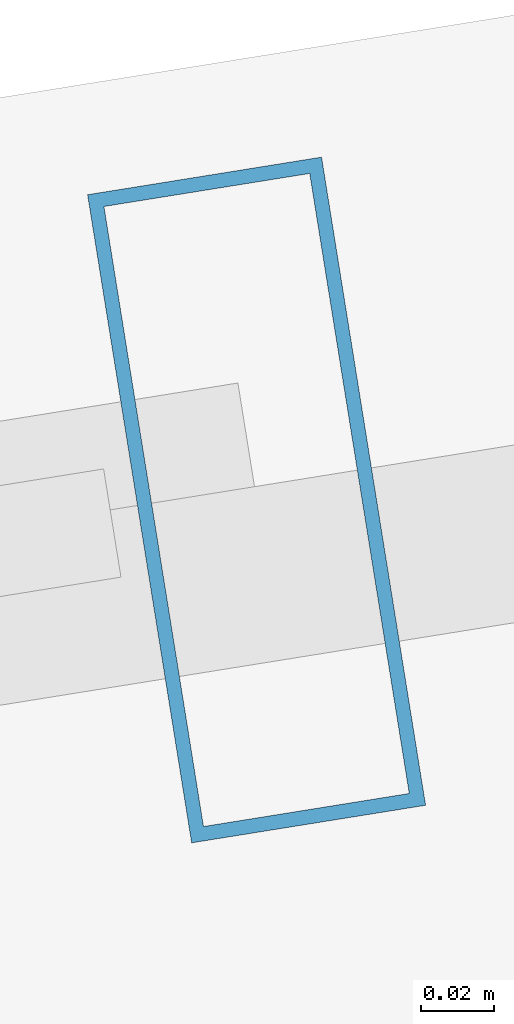
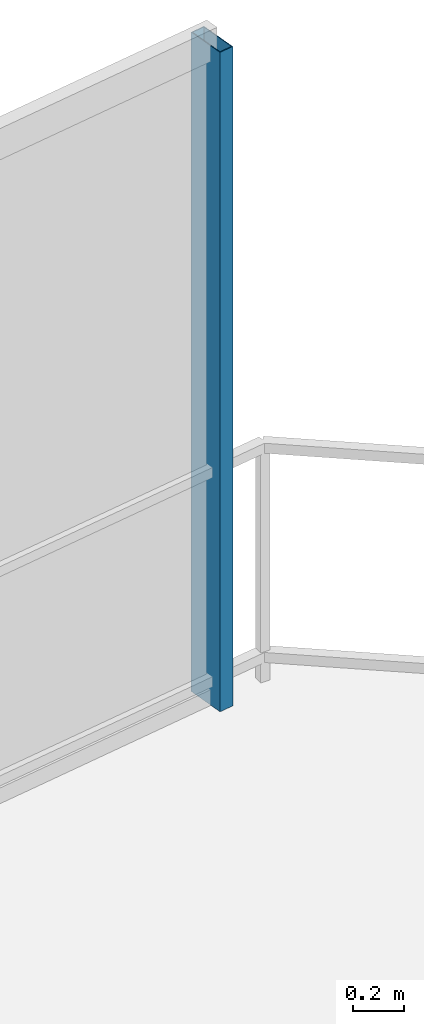
# One storey, part 22 of 27: 1 member, 1 element without a shape of its own.
"""IFC4 building model written with IfcOpenShell, lengths in metres."""

from ifc_helpers import new_model, si_unit, direction, frame, origin, origin_2d, place, context, subcontext, project, spatial, hollow_rectangle, extrude, material, layer, layer_set, material_profile, profile_set, type_object, element, aggregate, save


model = new_model("IFC4")

# Units and contexts
model_context = context("Model", 3, precision=1e-05, world=origin(), true_north=direction((0.0, 1.0)))
body_context = subcontext(model_context, "Body", "Model", "MODEL_VIEW")
ifc_project = project(units=[si_unit("LENGTHUNIT", "METRE"), si_unit("AREAUNIT", "SQUARE_METRE"), si_unit("VOLUMEUNIT", "CUBIC_METRE"), si_unit("PLANEANGLEUNIT", "RADIAN"), si_unit("MASSUNIT", "GRAM", prefix="KILO")], contexts=[model_context])

# Site, building, storey
site_placement = place(None, origin())
site = spatial("IfcSite", under=ifc_project, at=site_placement, CompositionType="ELEMENT")
building_placement = place(site_placement, origin())
building = spatial("IfcBuilding", under=site, at=building_placement, Name="Qarnah Convention Tower", CompositionType="ELEMENT")
storey_placement = place(building_placement, frame((0.0, 0.0, 100.5)))
storey = spatial("IfcBuildingStorey", under=building, at=storey_placement, Name="L26", CompositionType="ELEMENT", Elevation=100.5)

# Curtain wall, member
ifc_material_1 = material(Name="Tempered Low-E dark glass", Category="glass")
ifc_layer = layer(ifc_material_1, 0.169921875)
ifc_layer_set = layer_set([ifc_layer], Name="Tempered Low-E dark glass")
curtain_wall_type = type_object("IfcCurtainWallType", Name="CWS-02", PredefinedType="NOTDEFINED", material=ifc_layer_set)
curtain_wall_placement = place(storey_placement, origin())
curtain_wall = element("IfcCurtainWall", 1, at=curtain_wall_placement, inside=storey, type_object=curtain_wall_type, Name="L26 unitised curtain wall CW-L26-F3", PredefinedType="NOTDEFINED")
ifc_material_2 = material(Name="Black anodised aluminium", Category="aluminium")
ifc_material_profile = material_profile(ifc_material_2, hollow_rectangle(XDim=0.06494140625, YDim=0.179931640625, WallThickness=0.00390625, at=origin_2d()), Name="MUL-65X180")
ifc_profile_set = profile_set([ifc_material_profile], Name="Black anodised aluminium")
member_type = type_object("IfcMemberType", Name="MUL-T2", PredefinedType="MULLION", material=ifc_profile_set)
member_placement = place(storey_placement, frame((51.4951171875, 46.27294921875, 0.0), z_axis=(0.0, 0.0, 1.0), x_axis=(0.987357200045, 0.158511070653, 0.0)))
member = element("IfcMember", 2, at=member_placement, type_object=member_type, Name="CW-L26-F3 mullion 6", PredefinedType="MULLION", context=body_context, shape_type="SweptSolid", body=[
    extrude(hollow_rectangle(XDim=0.06494140625, YDim=0.179931640625, WallThickness=0.00390625, at=origin_2d()), origin(), (0.0, 0.0, 1.0), 3.169921875),
])
aggregate(curtain_wall, [member])

save(model, "model.ifc")
